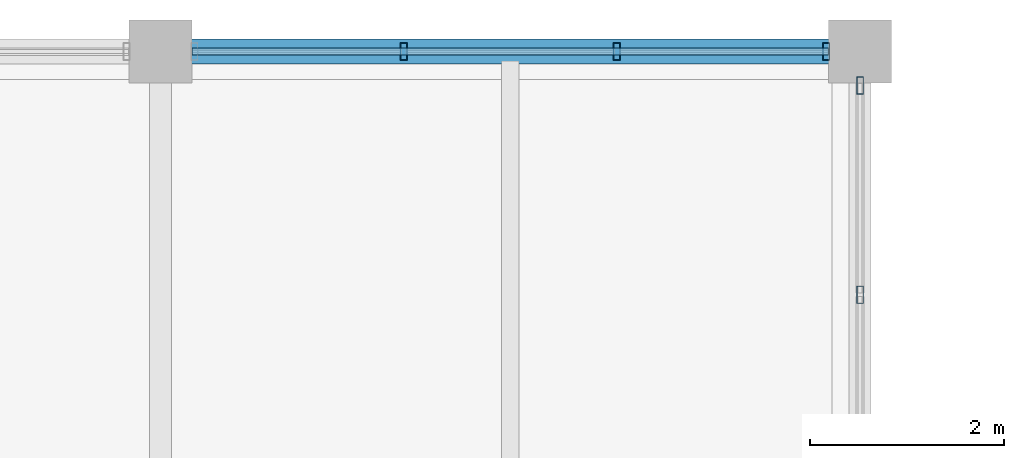
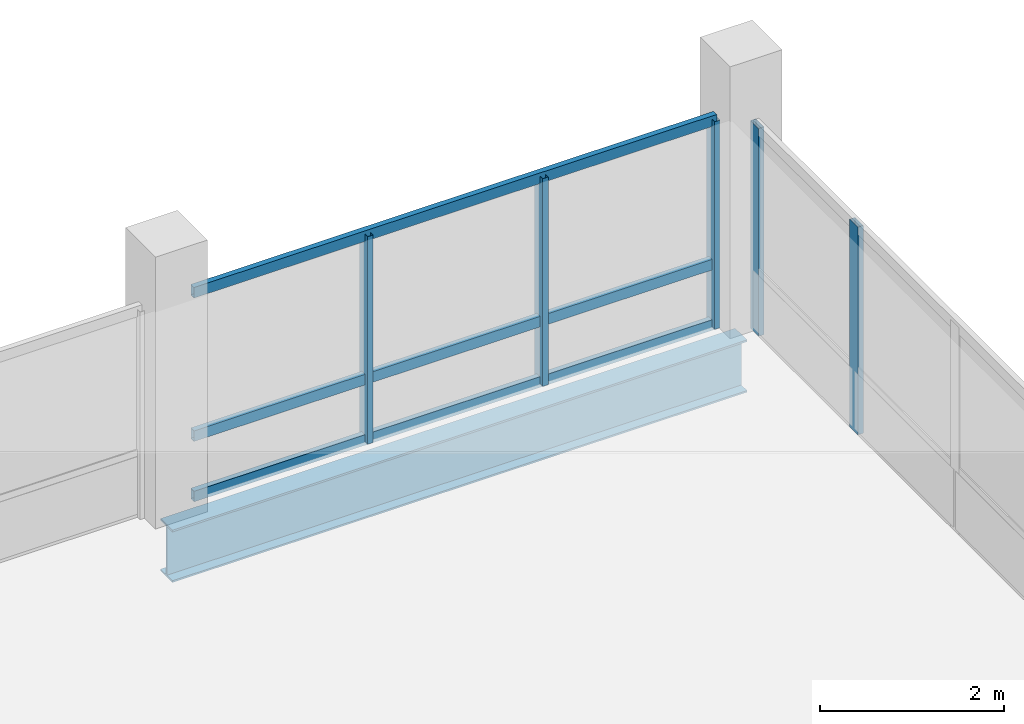
# One storey, part 48 of 96: 8 members, 1 beam, 2 elements without a shape of their own.
"""IFC4 building model written with IfcOpenShell, lengths in metres."""

from ifc_helpers import new_model, si_unit, direction, frame, origin, origin_2d, place, context, subcontext, project, spatial, hollow_rectangle, i_section, extrude, material, material_profile, profile_set, type_object, element, aggregate, save


model = new_model("IFC4")

# Units and contexts
model_context = context("Model", 3, precision=1e-05, world=origin(), true_north=direction((0.0, 1.0)))
body_context = subcontext(model_context, "Body", "Model", "MODEL_VIEW")
ifc_project = project(units=[si_unit("LENGTHUNIT", "METRE"), si_unit("AREAUNIT", "SQUARE_METRE"), si_unit("VOLUMEUNIT", "CUBIC_METRE"), si_unit("PLANEANGLEUNIT", "RADIAN"), si_unit("MASSUNIT", "GRAM", prefix="KILO")], contexts=[model_context])

# Site, building, storey
site_placement = place(None, origin())
site = spatial("IfcSite", under=ifc_project, at=site_placement, CompositionType="ELEMENT")
building_placement = place(site_placement, origin())
building = spatial("IfcBuilding", under=site, at=building_placement, Name="Yarey Park Central Fire Station", CompositionType="ELEMENT")
storey_placement = place(building_placement, frame((0.0, 0.0, 14.39990234375)))
storey = spatial("IfcBuildingStorey", under=building, at=storey_placement, Name="L04", CompositionType="ELEMENT", Elevation=14.39990234375)

# Curtain wall, members
ifc_material_1 = material(Name="Anodized Aluminium Frame", Category="aluminium")
curtain_wall_type = type_object("IfcCurtainWallType", Name="ENV_CW_HQ_L04", PredefinedType="NOTDEFINED", material=ifc_material_1)
curtain_wall_1_placement = place(storey_placement, origin())
curtain_wall_1 = element("IfcCurtainWall", 1, at=curtain_wall_1_placement, inside=storey, type_object=curtain_wall_type, Name="CW_L04_V4_N_6", PredefinedType="NOTDEFINED")
ifc_material_profile_1 = material_profile(ifc_material_1, hollow_rectangle(XDim=0.070068359375, YDim=0.179931640625, WallThickness=0.00390625, at=origin_2d()), Name="ALU 180x70x4")
ifc_profile_set_1 = profile_set([ifc_material_profile_1], Name="Anodized Aluminium Frame")
member_type_1 = type_object("IfcMemberType", Name="ENV_CW_MULLION", PredefinedType="MULLION", material=ifc_profile_set_1)
member_1_placement = place(storey_placement, frame((158.050048828125, 115.199951171875, 0.0), z_axis=(0.0, 0.0, 1.0), x_axis=(1.0, 0.0, 0.0)))
member_1 = element("IfcMember", 2, at=member_1_placement, type_object=member_type_1, Name="CW_L04_V4_N_6_MUL1", PredefinedType="MULLION", context=body_context, shape_type="SweptSolid", body=[
    extrude(hollow_rectangle(XDim=0.070068359375, YDim=0.179931640625, WallThickness=0.00390625, at=origin_2d()), origin(), (0.0, 0.0, 1.0), 2.75),
])
member_2_placement = place(storey_placement, frame((155.896728515625, 115.199951171875, 0.0), z_axis=(0.0, 0.0, 1.0), x_axis=(1.0, 0.0, 0.0)))
member_2 = element("IfcMember", 3, at=member_2_placement, type_object=member_type_1, Name="CW_L04_V4_N_6_MUL2", PredefinedType="MULLION", context=body_context, shape_type="SweptSolid", body=[
    extrude(hollow_rectangle(XDim=0.070068359375, YDim=0.179931640625, WallThickness=0.00390625, at=origin_2d()), origin(), (0.0, 0.0, 1.0), 2.75),
])
member_3_placement = place(storey_placement, frame((153.703369140625, 115.199951171875, 0.0), z_axis=(0.0, 0.0, 1.0), x_axis=(1.0, 0.0, 0.0)))
member_3 = element("IfcMember", 4, at=member_3_placement, type_object=member_type_1, Name="CW_L04_V4_N_6_MUL3", PredefinedType="MULLION", context=body_context, shape_type="SweptSolid", body=[
    extrude(hollow_rectangle(XDim=0.070068359375, YDim=0.179931640625, WallThickness=0.00390625, at=origin_2d()), origin(), (0.0, 0.0, 1.0), 2.75),
])

curtain_wall_2_placement = place(storey_placement, origin())
curtain_wall_2 = element("IfcCurtainWall", 5, at=curtain_wall_2_placement, inside=storey, type_object=curtain_wall_type, Name="CW_L04_V4_E_108", PredefinedType="NOTDEFINED")
member_4_placement = place(storey_placement, frame((158.39990234375, 112.69677734375, 0.0), z_axis=(0.0, 0.0, 1.0), x_axis=(1.0, 0.0, 0.0)))
member_4 = element("IfcMember", 6, at=member_4_placement, type_object=member_type_1, Name="CW_L04_V4_E_108_MUL3", PredefinedType="MULLION", context=body_context, shape_type="SweptSolid", body=[
    extrude(hollow_rectangle(XDim=0.070068359375, YDim=0.179931640625, WallThickness=0.00390625, at=origin_2d()), origin(), (0.0, 0.0, 1.0), 2.75),
])
member_5_placement = place(storey_placement, frame((158.39990234375, 114.85009765625, 0.0), z_axis=(0.0, 0.0, 1.0), x_axis=(1.0, 0.0, 0.0)))
member_5 = element("IfcMember", 7, at=member_5_placement, type_object=member_type_1, Name="CW_L04_V4_E_108_MUL4", PredefinedType="MULLION", context=body_context, shape_type="SweptSolid", body=[
    extrude(hollow_rectangle(XDim=0.070068359375, YDim=0.179931640625, WallThickness=0.00390625, at=origin_2d()), origin(), (0.0, 0.0, 1.0), 2.75),
])
aggregate(curtain_wall_2, [member_4, member_5])

# Member
ifc_material_profile_2 = material_profile(ifc_material_1, hollow_rectangle(XDim=0.070068359375, YDim=0.139892578125, WallThickness=0.00390625, at=origin_2d()), Name="ALU 140x70x4")
ifc_profile_set_2 = profile_set([ifc_material_profile_2], Name="Anodized Aluminium Frame")
member_type_2 = type_object("IfcMemberType", Name="ENV_CW_TRANSOM", PredefinedType="USERDEFINED", material=ifc_profile_set_2)
member_6_placement = place(storey_placement, frame((158.074951171875, 115.199951171875, 0.025146484375), z_axis=(-1.0, 0.0, 0.0), x_axis=(0.0, -1.0, 0.0)))
member_6 = element("IfcMember", 8, at=member_6_placement, type_object=member_type_2, Name="CW_L04_V4_N_6_TRN1", ObjectType="TRANSOM", PredefinedType="USERDEFINED", context=body_context, shape_type="SweptSolid", body=[
    extrude(hollow_rectangle(XDim=0.070068359375, YDim=0.139892578125, WallThickness=0.00390625, at=origin_2d()), origin(), (0.0, 0.0, 1.0), 6.550048828125),
])

member_7_placement = place(storey_placement, frame((158.074951171875, 115.199951171875, 0.8251953125), z_axis=(-1.0, 0.0, 0.0), x_axis=(0.0, -1.0, 0.0)))
member_7 = element("IfcMember", 9, at=member_7_placement, type_object=member_type_2, Name="CW_L04_V4_N_6_TRN2", ObjectType="TRANSOM", PredefinedType="USERDEFINED", context=body_context, shape_type="SweptSolid", body=[
    extrude(hollow_rectangle(XDim=0.070068359375, YDim=0.139892578125, WallThickness=0.00390625, at=origin_2d()), origin(), (0.0, 0.0, 1.0), 6.550048828125),
])

member_8_placement = place(storey_placement, frame((158.074951171875, 115.199951171875, 2.72509765625), z_axis=(-1.0, 0.0, 0.0), x_axis=(0.0, -1.0, 0.0)))
member_8 = element("IfcMember", 10, at=member_8_placement, type_object=member_type_2, Name="CW_L04_V4_N_6_TRN3", ObjectType="TRANSOM", PredefinedType="USERDEFINED", context=body_context, shape_type="SweptSolid", body=[
    extrude(hollow_rectangle(XDim=0.070068359375, YDim=0.139892578125, WallThickness=0.00390625, at=origin_2d()), origin(), (0.0, 0.0, 1.0), 6.550048828125),
])

aggregate(curtain_wall_1, [member_1, member_2, member_3, member_6, member_7, member_8])

# Beam
ifc_material_2 = material(Name="Steel ASTM A992 Gr. 50", Category="steel")
ifc_material_profile_3 = material_profile(ifc_material_2, i_section(OverallWidth=0.256103515625, OverallDepth=0.693115234375, WebThickness=0.014404296875, FlangeThickness=0.023681640625, at=origin_2d()), Name="W690x170")
ifc_profile_set_3 = profile_set([ifc_material_profile_3], Name="Steel ASTM A992 Gr. 50")
beam_type = type_object("IfcBeamType", Name="STR_BM_W690", PredefinedType="BEAM", material=ifc_profile_set_3)
beam_placement = place(storey_placement, frame((151.199951171875, 115.199951171875, -0.596435546875), z_axis=(1.0, 0.0, 0.0), x_axis=(0.0, 1.0, 0.0)))
element("IfcBeam", 11, at=beam_placement, inside=storey, type_object=beam_type, Name="BMX L04 Y1152 X1512", PredefinedType="BEAM", context=body_context, shape_type="SweptSolid", body=[
    extrude(i_section(OverallWidth=0.256103515625, OverallDepth=0.693115234375, WebThickness=0.014404296875, FlangeThickness=0.023681640625, at=origin_2d()), origin(), (0.0, 0.0, 1.0), 7.199951171875),
])

save(model, "model.ifc")
